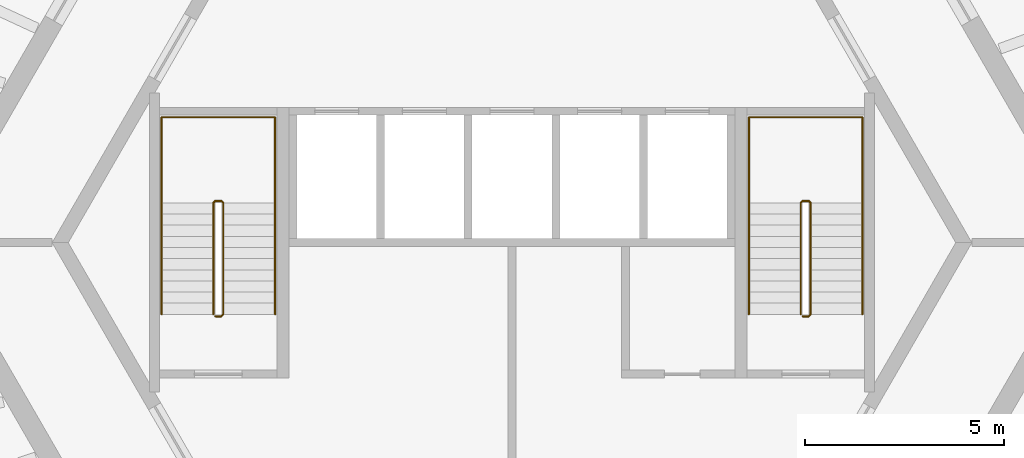
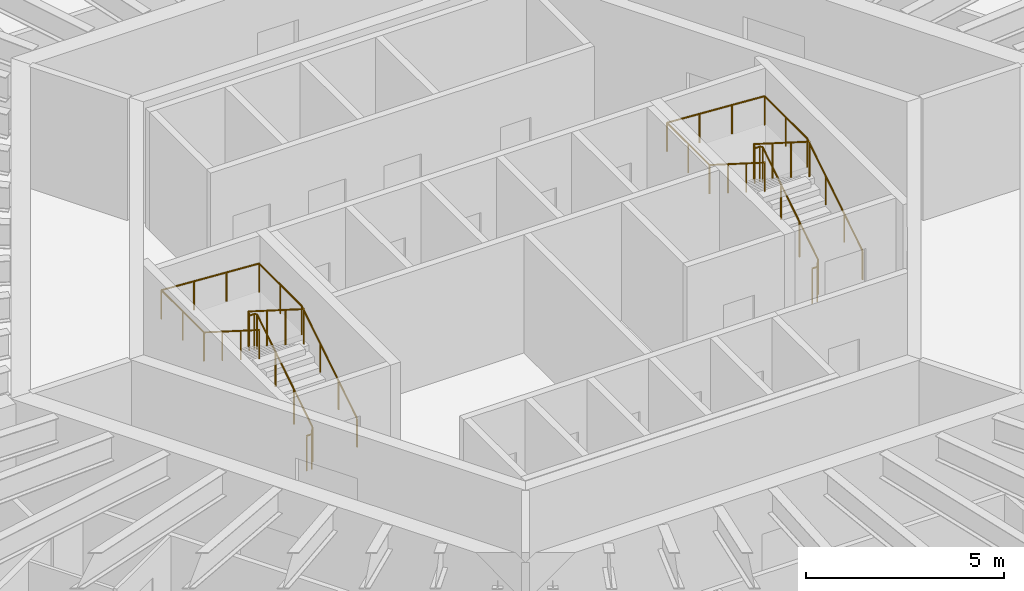
# One storey, part 10 of 10: 4 railings.
"""IFC4 building model written with IfcOpenShell, lengths in metres."""

from ifc_helpers import new_model, si_unit, direction, frame, origin, origin_2d, place, context, subcontext, project, spatial, circle, extrude, material, type_object, element, save


model = new_model("IFC4")

# Units and contexts
model_context = context("Model", 3, precision=1e-05, world=origin(), true_north=direction((0.0, 1.0)))
body_context = subcontext(model_context, "Body", "Model", "MODEL_VIEW")
ifc_project = project(units=[si_unit("LENGTHUNIT", "METRE"), si_unit("AREAUNIT", "SQUARE_METRE"), si_unit("VOLUMEUNIT", "CUBIC_METRE"), si_unit("PLANEANGLEUNIT", "RADIAN"), si_unit("MASSUNIT", "GRAM", prefix="KILO")], contexts=[model_context])

# Site, building, storey
site_placement = place(None, origin())
site = spatial("IfcSite", under=ifc_project, at=site_placement, CompositionType="ELEMENT")
building_placement = place(site_placement, origin())
building = spatial("IfcBuilding", under=site, at=building_placement, Name="Tarnside Tower", CompositionType="ELEMENT")
storey_placement = place(building_placement, frame((0.0, 0.0, 242.39990234375)))
storey = spatial("IfcBuildingStorey", under=building, at=storey_placement, Name="L58", CompositionType="ELEMENT", Elevation=242.39990234375)

# Railings
ifc_material = material(Name="Stainless steel", Category="steel")
railing_type_1 = type_object("IfcRailingType", Name="Stair guard 1100", PredefinedType="GUARDRAIL", material=ifc_material)
railing_1_placement = place(storey_placement, frame((7.300048828125, -1.85009765625, 0.0)))
element("IfcRailing", 1, at=railing_1_placement, inside=storey, type_object=railing_type_1, Name="L58 ST1 stair guard 1", PredefinedType="GUARDRAIL", context=body_context, shape_type="SweptSolid", body=[
    extrude(circle(Radius=0.02392578125, at=origin_2d()), frame((0.0, 0.0, 1.076171875), z_axis=(1.0, 0.0, 0.0), x_axis=(0.0, 1.0, 0.0)), (0.0, 0.0, 1.0), 0.14990234375),
    extrude(circle(Radius=0.02392578125, at=origin_2d()), frame((0.14990234375, 0.0, 1.076171875), z_axis=(0.261922500866, 0.261922500866, 0.928866625022), x_axis=(-0.707106781187, 0.707106781187, 0.0)), (0.0, 0.0, 1.0), 0.191162109375),
    extrude(circle(Radius=0.02392578125, at=origin_2d()), frame((0.199951171875, 0.050048828125, 1.25341796875), z_axis=(0.0, 0.844908973607, 0.534910110503), x_axis=(-1.0, 0.0, 0.0)), (0.0, 0.0, 1.0), 3.31396484375),
    extrude(circle(Radius=0.02392578125, at=origin_2d()), frame((0.199951171875, 2.85009765625, 3.0263671875), z_axis=(-0.707106781187, 0.707106781187, 0.0), x_axis=(-0.707106781187, -0.707106781187, 0.0)), (0.0, 0.0, 1.0), 0.07080078125),
    extrude(circle(Radius=0.02392578125, at=origin_2d()), frame((0.14990234375, 2.900146484375, 3.0263671875), z_axis=(-1.0, 0.0, 0.0), x_axis=(0.0, -1.0, 0.0)), (0.0, 0.0, 1.0), 0.14990234375),
    extrude(circle(Radius=0.02392578125, at=origin_2d()), frame((0.0, 2.900146484375, 3.0263671875), z_axis=(-0.262233686654, -0.262233686654, 0.928691007369), x_axis=(0.707106781187, -0.707106781187, 0.0)), (0.0, 0.0, 1.0), 0.19091796875),
    extrude(circle(Radius=0.02392578125, at=origin_2d()), frame((-0.050048828125, 2.85009765625, 3.20361328125), z_axis=(0.0, -0.844908973607, 0.534910110503), x_axis=(1.0, 0.0, 0.0)), (0.0, 0.0, 1.0), 3.31396484375),
    extrude(circle(Radius=0.02099609375, at=origin_2d()), origin(), (0.0, 0.0, 1.0), 1.052001953125),
    extrude(circle(Radius=0.02099609375, at=origin_2d()), frame((0.14990234375, 0.0, 0.0)), (0.0, 0.0, 1.0), 1.052001953125),
    extrude(circle(Radius=0.02099609375, at=origin_2d()), frame((0.199951171875, 0.050048828125, 0.177490234375)), (0.0, 0.0, 1.0), 1.052001953125),
    extrude(circle(Radius=0.02099609375, at=origin_2d()), frame((0.199951171875, 0.9833984375, 0.768310546875)), (0.0, 0.0, 1.0), 1.052001953125),
    extrude(circle(Radius=0.02099609375, at=origin_2d()), frame((0.199951171875, 1.916748046875, 1.359375)), (0.0, 0.0, 1.0), 1.052001953125),
    extrude(circle(Radius=0.02099609375, at=origin_2d()), frame((0.199951171875, 2.85009765625, 1.9501953125)), (0.0, 0.0, 1.0), 1.052001953125),
    extrude(circle(Radius=0.02099609375, at=origin_2d()), frame((0.14990234375, 2.900146484375, 1.9501953125)), (0.0, 0.0, 1.0), 1.052001953125),
    extrude(circle(Radius=0.02099609375, at=origin_2d()), frame((0.0, 2.900146484375, 1.9501953125)), (0.0, 0.0, 1.0), 1.052001953125),
    extrude(circle(Radius=0.02099609375, at=origin_2d()), frame((-0.050048828125, 2.85009765625, 2.12744140625)), (0.0, 0.0, 1.0), 1.052001953125),
    extrude(circle(Radius=0.02099609375, at=origin_2d()), frame((-0.050048828125, 1.916748046875, 2.71826171875)), (0.0, 0.0, 1.0), 1.052001953125),
    extrude(circle(Radius=0.02099609375, at=origin_2d()), frame((-0.050048828125, 0.9833984375, 3.309326171875)), (0.0, 0.0, 1.0), 1.052001953125),
    extrude(circle(Radius=0.02099609375, at=origin_2d()), frame((-0.050048828125, 0.050048828125, 3.900146484375)), (0.0, 0.0, 1.0), 1.052001953125),
])
railing_2_placement = place(storey_placement, frame((-7.449951171875, -1.85009765625, 0.0)))
element("IfcRailing", 2, at=railing_2_placement, inside=storey, type_object=railing_type_1, Name="L58 ST2 stair guard 1", PredefinedType="GUARDRAIL", context=body_context, shape_type="SweptSolid", body=[
    extrude(circle(Radius=0.02392578125, at=origin_2d()), frame((0.0, 0.0, 1.076171875), z_axis=(1.0, 0.0, 0.0), x_axis=(0.0, 1.0, 0.0)), (0.0, 0.0, 1.0), 0.14990234375),
    extrude(circle(Radius=0.02392578125, at=origin_2d()), frame((0.14990234375, 0.0, 1.076171875), z_axis=(0.261922500866, 0.261922500866, 0.928866625022), x_axis=(-0.707106781187, 0.707106781187, 0.0)), (0.0, 0.0, 1.0), 0.191162109375),
    extrude(circle(Radius=0.02392578125, at=origin_2d()), frame((0.199951171875, 0.050048828125, 1.25341796875), z_axis=(0.0, 0.844908973607, 0.534910110503), x_axis=(-1.0, 0.0, 0.0)), (0.0, 0.0, 1.0), 3.31396484375),
    extrude(circle(Radius=0.02392578125, at=origin_2d()), frame((0.199951171875, 2.85009765625, 3.0263671875), z_axis=(-0.707106781187, 0.707106781187, 0.0), x_axis=(-0.707106781187, -0.707106781187, 0.0)), (0.0, 0.0, 1.0), 0.07080078125),
    extrude(circle(Radius=0.02392578125, at=origin_2d()), frame((0.14990234375, 2.900146484375, 3.0263671875), z_axis=(-1.0, 0.0, 0.0), x_axis=(0.0, -1.0, 0.0)), (0.0, 0.0, 1.0), 0.14990234375),
    extrude(circle(Radius=0.02392578125, at=origin_2d()), frame((0.0, 2.900146484375, 3.0263671875), z_axis=(-0.262233686654, -0.262233686654, 0.928691007369), x_axis=(0.707106781187, -0.707106781187, 0.0)), (0.0, 0.0, 1.0), 0.19091796875),
    extrude(circle(Radius=0.02392578125, at=origin_2d()), frame((-0.050048828125, 2.85009765625, 3.20361328125), z_axis=(0.0, -0.844908973607, 0.534910110503), x_axis=(1.0, 0.0, 0.0)), (0.0, 0.0, 1.0), 3.31396484375),
    extrude(circle(Radius=0.02099609375, at=origin_2d()), origin(), (0.0, 0.0, 1.0), 1.052001953125),
    extrude(circle(Radius=0.02099609375, at=origin_2d()), frame((0.14990234375, 0.0, 0.0)), (0.0, 0.0, 1.0), 1.052001953125),
    extrude(circle(Radius=0.02099609375, at=origin_2d()), frame((0.199951171875, 0.050048828125, 0.177490234375)), (0.0, 0.0, 1.0), 1.052001953125),
    extrude(circle(Radius=0.02099609375, at=origin_2d()), frame((0.199951171875, 0.9833984375, 0.768310546875)), (0.0, 0.0, 1.0), 1.052001953125),
    extrude(circle(Radius=0.02099609375, at=origin_2d()), frame((0.199951171875, 1.916748046875, 1.359375)), (0.0, 0.0, 1.0), 1.052001953125),
    extrude(circle(Radius=0.02099609375, at=origin_2d()), frame((0.199951171875, 2.85009765625, 1.9501953125)), (0.0, 0.0, 1.0), 1.052001953125),
    extrude(circle(Radius=0.02099609375, at=origin_2d()), frame((0.14990234375, 2.900146484375, 1.9501953125)), (0.0, 0.0, 1.0), 1.052001953125),
    extrude(circle(Radius=0.02099609375, at=origin_2d()), frame((0.0, 2.900146484375, 1.9501953125)), (0.0, 0.0, 1.0), 1.052001953125),
    extrude(circle(Radius=0.02099609375, at=origin_2d()), frame((-0.050048828125, 2.85009765625, 2.12744140625)), (0.0, 0.0, 1.0), 1.052001953125),
    extrude(circle(Radius=0.02099609375, at=origin_2d()), frame((-0.050048828125, 1.916748046875, 2.71826171875)), (0.0, 0.0, 1.0), 1.052001953125),
    extrude(circle(Radius=0.02099609375, at=origin_2d()), frame((-0.050048828125, 0.9833984375, 3.309326171875)), (0.0, 0.0, 1.0), 1.052001953125),
    extrude(circle(Radius=0.02099609375, at=origin_2d()), frame((-0.050048828125, 0.050048828125, 3.900146484375)), (0.0, 0.0, 1.0), 1.052001953125),
])
railing_type_2 = type_object("IfcRailingType", Name="Stair handrail 900", PredefinedType="HANDRAIL", material=ifc_material)
railing_3_placement = place(storey_placement, frame((8.800048828125, -1.800048828125, 0.177490234375)))
element("IfcRailing", 3, at=railing_3_placement, inside=storey, type_object=railing_type_2, Name="L58 ST1 stair handrail 1", PredefinedType="HANDRAIL", context=body_context, shape_type="SweptSolid", body=[
    extrude(circle(Radius=0.02392578125, at=origin_2d()), frame((0.0, 0.0, 0.8857421875), z_axis=(0.0, 0.844908973607, 0.534910110503), x_axis=(-1.0, 0.0, 0.0)), (0.0, 0.0, 1.0), 3.31396484375),
    extrude(circle(Radius=0.02392578125, at=origin_2d()), frame((0.0, 2.800048828125, 2.65869140625), z_axis=(0.0, 1.0, 0.0), x_axis=(-1.0, 0.0, 0.0)), (0.0, 0.0, 1.0), 2.14990234375),
    extrude(circle(Radius=0.02392578125, at=origin_2d()), frame((0.0, 4.949951171875, 2.65869140625), z_axis=(-0.998071825391, 0.0, 0.06206956872), x_axis=(0.0, -1.0, 0.0)), (0.0, 0.0, 1.0), 2.855712890625),
    extrude(circle(Radius=0.02392578125, at=origin_2d()), frame((-2.85009765625, 4.949951171875, 2.8359375), z_axis=(0.0, -1.0, 0.0), x_axis=(1.0, 0.0, 0.0)), (0.0, 0.0, 1.0), 2.14990234375),
    extrude(circle(Radius=0.02392578125, at=origin_2d()), frame((-2.85009765625, 2.800048828125, 2.8359375), z_axis=(0.0, -0.844908973607, 0.534910110503), x_axis=(1.0, 0.0, 0.0)), (0.0, 0.0, 1.0), 3.31396484375),
    extrude(circle(Radius=0.02099609375, at=origin_2d()), origin(), (0.0, 0.0, 1.0), 0.86181640625),
    extrude(circle(Radius=0.02099609375, at=origin_2d()), frame((0.0, 0.933349609375, 0.5908203125)), (0.0, 0.0, 1.0), 0.86181640625),
    extrude(circle(Radius=0.02099609375, at=origin_2d()), frame((0.0, 1.86669921875, 1.181884765625)), (0.0, 0.0, 1.0), 0.86181640625),
    extrude(circle(Radius=0.02099609375, at=origin_2d()), frame((0.0, 2.800048828125, 1.772705078125)), (0.0, 0.0, 1.0), 0.86181640625),
    extrude(circle(Radius=0.02099609375, at=origin_2d()), frame((0.0, 3.875, 1.772705078125)), (0.0, 0.0, 1.0), 0.86181640625),
    extrude(circle(Radius=0.02099609375, at=origin_2d()), frame((0.0, 4.949951171875, 1.772705078125)), (0.0, 0.0, 1.0), 0.86181640625),
    extrude(circle(Radius=0.02099609375, at=origin_2d()), frame((-0.949951171875, 4.949951171875, 1.831787109375)), (0.0, 0.0, 1.0), 0.86181640625),
    extrude(circle(Radius=0.02099609375, at=origin_2d()), frame((-1.900146484375, 4.949951171875, 1.890869140625)), (0.0, 0.0, 1.0), 0.86181640625),
    extrude(circle(Radius=0.02099609375, at=origin_2d()), frame((-2.85009765625, 4.949951171875, 1.949951171875)), (0.0, 0.0, 1.0), 0.86181640625),
    extrude(circle(Radius=0.02099609375, at=origin_2d()), frame((-2.85009765625, 3.875, 1.949951171875)), (0.0, 0.0, 1.0), 0.86181640625),
    extrude(circle(Radius=0.02099609375, at=origin_2d()), frame((-2.85009765625, 2.800048828125, 1.949951171875)), (0.0, 0.0, 1.0), 0.86181640625),
    extrude(circle(Radius=0.02099609375, at=origin_2d()), frame((-2.85009765625, 1.86669921875, 2.540771484375)), (0.0, 0.0, 1.0), 0.86181640625),
    extrude(circle(Radius=0.02099609375, at=origin_2d()), frame((-2.85009765625, 0.933349609375, 3.1318359375)), (0.0, 0.0, 1.0), 0.86181640625),
    extrude(circle(Radius=0.02099609375, at=origin_2d()), frame((-2.85009765625, 0.0, 3.72265625)), (0.0, 0.0, 1.0), 0.86181640625),
])
railing_4_placement = place(storey_placement, frame((-5.949951171875, -1.800048828125, 0.177490234375)))
element("IfcRailing", 4, at=railing_4_placement, inside=storey, type_object=railing_type_2, Name="L58 ST2 stair handrail 1", PredefinedType="HANDRAIL", context=body_context, shape_type="SweptSolid", body=[
    extrude(circle(Radius=0.02392578125, at=origin_2d()), frame((0.0, 0.0, 0.8857421875), z_axis=(0.0, 0.844908973607, 0.534910110503), x_axis=(-1.0, 0.0, 0.0)), (0.0, 0.0, 1.0), 3.31396484375),
    extrude(circle(Radius=0.02392578125, at=origin_2d()), frame((0.0, 2.800048828125, 2.65869140625), z_axis=(0.0, 1.0, 0.0), x_axis=(-1.0, 0.0, 0.0)), (0.0, 0.0, 1.0), 2.14990234375),
    extrude(circle(Radius=0.02392578125, at=origin_2d()), frame((0.0, 4.949951171875, 2.65869140625), z_axis=(-0.998071825391, 0.0, 0.06206956872), x_axis=(0.0, -1.0, 0.0)), (0.0, 0.0, 1.0), 2.855712890625),
    extrude(circle(Radius=0.02392578125, at=origin_2d()), frame((-2.85009765625, 4.949951171875, 2.8359375), z_axis=(0.0, -1.0, 0.0), x_axis=(1.0, 0.0, 0.0)), (0.0, 0.0, 1.0), 2.14990234375),
    extrude(circle(Radius=0.02392578125, at=origin_2d()), frame((-2.85009765625, 2.800048828125, 2.8359375), z_axis=(0.0, -0.844908973607, 0.534910110503), x_axis=(1.0, 0.0, 0.0)), (0.0, 0.0, 1.0), 3.31396484375),
    extrude(circle(Radius=0.02099609375, at=origin_2d()), origin(), (0.0, 0.0, 1.0), 0.86181640625),
    extrude(circle(Radius=0.02099609375, at=origin_2d()), frame((0.0, 0.933349609375, 0.5908203125)), (0.0, 0.0, 1.0), 0.86181640625),
    extrude(circle(Radius=0.02099609375, at=origin_2d()), frame((0.0, 1.86669921875, 1.181884765625)), (0.0, 0.0, 1.0), 0.86181640625),
    extrude(circle(Radius=0.02099609375, at=origin_2d()), frame((0.0, 2.800048828125, 1.772705078125)), (0.0, 0.0, 1.0), 0.86181640625),
    extrude(circle(Radius=0.02099609375, at=origin_2d()), frame((0.0, 3.875, 1.772705078125)), (0.0, 0.0, 1.0), 0.86181640625),
    extrude(circle(Radius=0.02099609375, at=origin_2d()), frame((0.0, 4.949951171875, 1.772705078125)), (0.0, 0.0, 1.0), 0.86181640625),
    extrude(circle(Radius=0.02099609375, at=origin_2d()), frame((-0.949951171875, 4.949951171875, 1.831787109375)), (0.0, 0.0, 1.0), 0.86181640625),
    extrude(circle(Radius=0.02099609375, at=origin_2d()), frame((-1.900146484375, 4.949951171875, 1.890869140625)), (0.0, 0.0, 1.0), 0.86181640625),
    extrude(circle(Radius=0.02099609375, at=origin_2d()), frame((-2.85009765625, 4.949951171875, 1.949951171875)), (0.0, 0.0, 1.0), 0.86181640625),
    extrude(circle(Radius=0.02099609375, at=origin_2d()), frame((-2.85009765625, 3.875, 1.949951171875)), (0.0, 0.0, 1.0), 0.86181640625),
    extrude(circle(Radius=0.02099609375, at=origin_2d()), frame((-2.85009765625, 2.800048828125, 1.949951171875)), (0.0, 0.0, 1.0), 0.86181640625),
    extrude(circle(Radius=0.02099609375, at=origin_2d()), frame((-2.85009765625, 1.86669921875, 2.540771484375)), (0.0, 0.0, 1.0), 0.86181640625),
    extrude(circle(Radius=0.02099609375, at=origin_2d()), frame((-2.85009765625, 0.933349609375, 3.1318359375)), (0.0, 0.0, 1.0), 0.86181640625),
    extrude(circle(Radius=0.02099609375, at=origin_2d()), frame((-2.85009765625, 0.0, 3.72265625)), (0.0, 0.0, 1.0), 0.86181640625),
])

save(model, "model.ifc")
